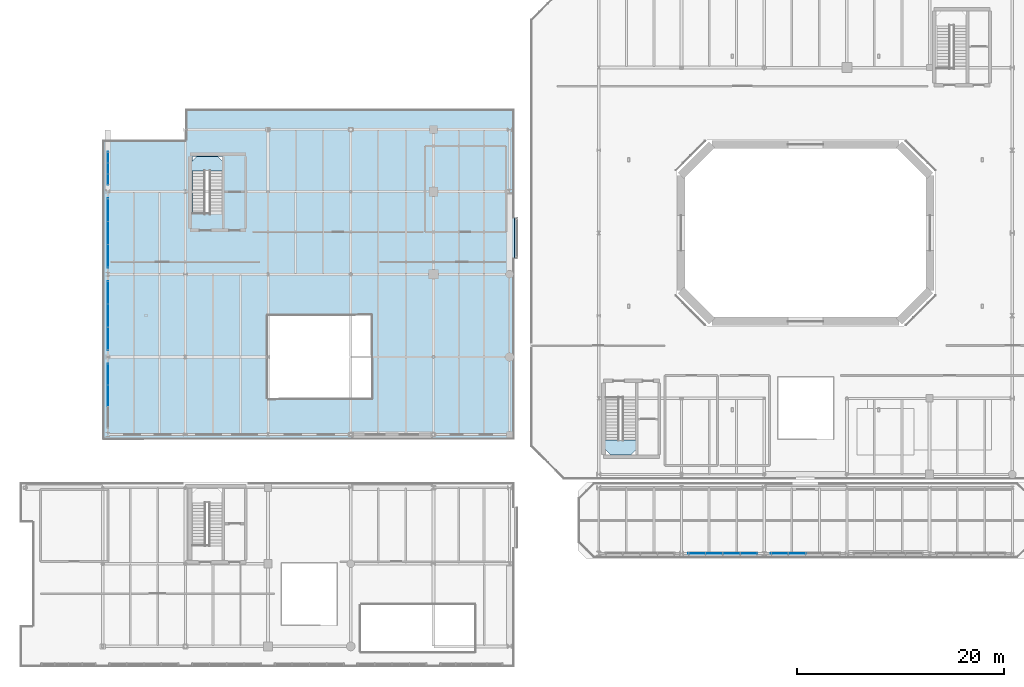
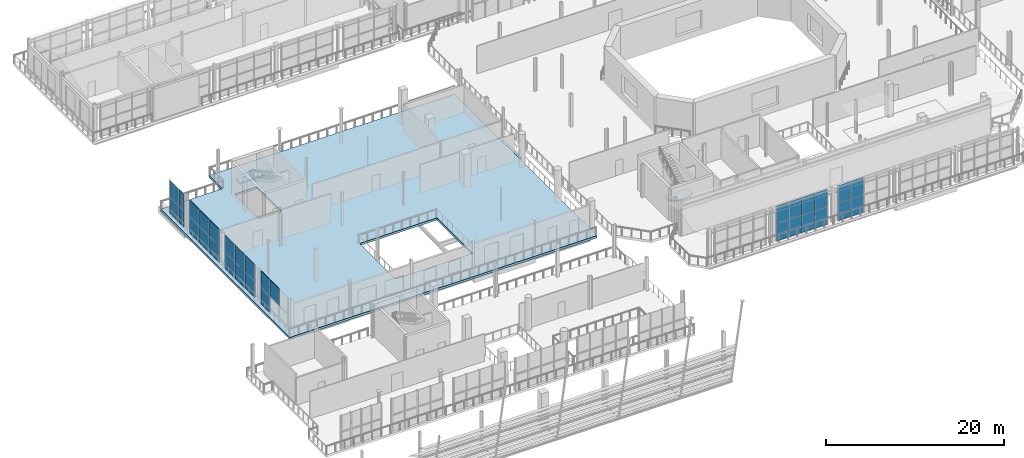
# One storey, part 61 of 93: 33 plates, 4 slabs, 8 elements without a shape of their own.
"""IFC4 building model written with IfcOpenShell, lengths in metres."""

import ifcopenshell
import ifcopenshell.guid

model = None  # the IFC model being written
_history = None  # IfcOwnerHistory: only IFC2X3 demands one
_inside = {}  # id of a spatial element -> (the spatial element, [elements in it])
_under = {}  # id of a project, library or spatial element -> (it, [spatial elements below it])
_declared = {}  # id of a project -> (the project, [libraries it declares])
_typed = {}  # id of a type object -> (the type object, [elements of that type])
_made_of = {}  # id of a material, layer set ... -> (it, [elements and type objects made of it])


def new_model(schema):
    """Start an empty IFC model of exactly this schema.

    Asked for "IFC4X3", IfcOpenShell would pick the latest addendum, in which some entities
    have other attributes; the version numbers below select the first issue.
    IFC2X3 requires an IfcOwnerHistory on every rooted entity: one is made here for all.
    """
    global model, _history
    if schema == "IFC4X3":
        model = ifcopenshell.file(schema_version=(4, 3, 0, 0))
    else:
        model = ifcopenshell.file(schema=schema)
    _inside.clear()
    _under.clear()
    _declared.clear()
    _typed.clear()
    _made_of.clear()
    _history = None
    if model.schema == "IFC2X3":
        org = make("IfcOrganization", Name="unknown")
        user = make(
            "IfcPersonAndOrganization",
            ThePerson=make("IfcPerson", FamilyName="unknown"),
            TheOrganization=org,
        )
        app = make(
            "IfcApplication",
            ApplicationDeveloper=org,
            Version="unknown",
            ApplicationFullName="unknown",
            ApplicationIdentifier="unknown",
        )
        _history = make(
            "IfcOwnerHistory",
            OwningUser=user,
            OwningApplication=app,
            ChangeAction="ADDED",
            CreationDate=0,
        )
    return model


def make(cls, **values):
    """One entity of the class cls with the attributes given. An attribute that is None is left unset."""
    return model.create_entity(
        cls, **{name: value for name, value in values.items() if value is not None}
    )


def rooted(cls, **values):
    """An entity with a GlobalId (a new one), such as an element, a storey or a relation."""
    return make(cls, GlobalId=ifcopenshell.guid.new(), OwnerHistory=_history, **values)


def si_unit(unit_type, name, prefix=None):
    """IfcSIUnit, for example si_unit("LENGTHUNIT", "METRE", prefix="MILLI")."""
    return make("IfcSIUnit", UnitType=unit_type, Prefix=prefix, Name=name)


def assignment(units):
    """IfcUnitAssignment: the units of a project."""
    return None if units is None else make("IfcUnitAssignment", Units=units)


def point(xyz):
    """IfcCartesianPoint."""
    return None if xyz is None else make("IfcCartesianPoint", Coordinates=xyz)


def direction(xyz):
    """IfcDirection."""
    return None if xyz is None else make("IfcDirection", DirectionRatios=xyz)


def frame(location, z_axis=None, x_axis=None):
    """IfcAxis2Placement3D, a coordinate frame: its origin and axes. An axis left out is left unset."""
    return make(
        "IfcAxis2Placement3D",
        Location=point(location),
        Axis=direction(z_axis),
        RefDirection=direction(x_axis),
    )


def frame_2d(location, x_axis=None):
    """IfcAxis2Placement2D, a coordinate frame in the plane: its origin and x axis."""
    return make(
        "IfcAxis2Placement2D", Location=point(location), RefDirection=direction(x_axis)
    )


def origin():
    """The frame at (0, 0, 0) with its axes left unset."""
    return frame((0.0, 0.0, 0.0))


def origin_2d():
    """The frame at (0, 0) in the plane with its x axis left unset."""
    return frame_2d((0.0, 0.0))


def place(relative_to, where):
    """IfcLocalPlacement: puts the frame where relative to a parent placement (None: the world)."""
    return make(
        "IfcLocalPlacement", PlacementRelTo=relative_to, RelativePlacement=where
    )


def context(
    kind, dimensions, precision=None, world=None, true_north=None, identifier=None
):
    """IfcGeometricRepresentationContext, for example the 3D "Model" context."""
    return make(
        "IfcGeometricRepresentationContext",
        ContextIdentifier=identifier,
        ContextType=kind,
        CoordinateSpaceDimension=dimensions,
        Precision=precision,
        WorldCoordinateSystem=world,
        TrueNorth=true_north,
    )


def subcontext(parent, identifier, kind, view, scale=None):
    """IfcGeometricRepresentationSubContext, for example "Body" below "Model"."""
    return make(
        "IfcGeometricRepresentationSubContext",
        ContextIdentifier=identifier,
        ContextType=kind,
        ParentContext=parent,
        TargetScale=scale,
        TargetView=view,
    )


def project(units=None, contexts=None):
    """IfcProject with its units and contexts."""
    return rooted(
        "IfcProject",
        Name="project",
        RepresentationContexts=contexts,
        UnitsInContext=assignment(units),
    )


def spatial(cls, under=None, at=None, **own):
    """A site, building, storey or space (cls), placed at a placement, below another one or the project."""
    s = rooted(cls, ObjectPlacement=at, **own)
    if under is not None:
        _under.setdefault(under.id(), (under, []))[1].append(s)
    return s


def polyline(points):
    """IfcPolyline through the points."""
    return make("IfcPolyline", Points=[point(p) for p in points])


def profile(cls, at=None, kind="AREA", **sizes):
    """A parametric profile (cls). Its sizes go by their IFC names, for example OverallWidth=200.0."""
    return make(cls, ProfileType=kind, Position=at, **sizes)


def rectangle(**sizes):
    """IfcRectangleProfileDef."""
    return profile("IfcRectangleProfileDef", **sizes)


def outline(outer, holes=None, kind="AREA"):
    """IfcArbitraryClosedProfileDef: a profile drawn as a closed curve; with holes, ...WithVoids."""
    if holes is None:
        return make("IfcArbitraryClosedProfileDef", ProfileType=kind, OuterCurve=outer)
    return make(
        "IfcArbitraryProfileDefWithVoids",
        ProfileType=kind,
        OuterCurve=outer,
        InnerCurves=holes,
    )


def extrude(swept, where, along, depth):
    """IfcExtrudedAreaSolid: the profile swept, set in the frame where, extruded along a direction by depth."""
    return make(
        "IfcExtrudedAreaSolid",
        SweptArea=swept,
        Position=where,
        ExtrudedDirection=direction(along),
        Depth=depth,
    )


def shape(context_of_items, identifier, shape_type, items):
    """IfcShapeRepresentation: the items that make up one representation, for example the "Body"."""
    return make(
        "IfcShapeRepresentation",
        ContextOfItems=context_of_items,
        RepresentationIdentifier=identifier,
        RepresentationType=shape_type,
        Items=items,
    )


def material(Name=None, Category=None):
    """IfcMaterial."""
    return make("IfcMaterial", Name=Name, Category=Category)


def layer(
    of_material, thickness, ventilated=None, Name=None, Category=None, Priority=None
):
    """IfcMaterialLayer: one layer of a wall or slab, of a material (None: an air gap)."""
    return make(
        "IfcMaterialLayer",
        Material=of_material,
        LayerThickness=thickness,
        IsVentilated=ventilated,
        Name=Name,
        Category=Category,
        Priority=Priority,
    )


def layer_set(layers, Name=None):
    """IfcMaterialLayerSet."""
    return make("IfcMaterialLayerSet", MaterialLayers=layers, LayerSetName=Name)


def made_of(thing, what):
    """Note that an element or type object is made of a material, layer set ...; save() writes the relation."""
    if what is not None:
        _made_of.setdefault(what.id(), (what, []))[1].append(thing)
    return thing


def type_object(cls, material=None, **own):
    """A type object (cls), such as IfcWallType, which elements share."""
    return made_of(rooted(cls, **own), material)


def element(
    cls,
    number,
    at=None,
    inside=None,
    cuts=None,
    type_object=None,
    material=None,
    context=None,
    identifier="Body",
    shape_type=None,
    held_by="IfcProductDefinitionShape",
    body=None,
    shapes=None,
    **own,
):
    """One element of the class cls, such as IfcWall. Its Tag is "e" and its number.

    at: its placement. inside: the storey or other place that contains it. cuts: it is an
    opening in that element (IfcRelVoidsElement). A single representation is given by context,
    identifier, shape_type and body (its items); several are given by shapes. held_by: the class
    of the entity that holds the representations. save() writes the other relations.
    """
    e = rooted(cls, Tag="e%d" % number, ObjectPlacement=at, **own)
    if body is not None:
        shapes = [shape(context, identifier, shape_type, body)]
    if shapes is not None:
        e.Representation = make(held_by, Representations=shapes)
    if inside is not None:
        _inside.setdefault(inside.id(), (inside, []))[1].append(e)
    if cuts is not None:
        rooted(
            "IfcRelVoidsElement", RelatingBuildingElement=cuts, RelatedOpeningElement=e
        )
    if type_object is not None:
        _typed.setdefault(type_object.id(), (type_object, []))[1].append(e)
    return made_of(e, material)


def aggregate(whole, parts):
    """IfcRelAggregates: a whole, such as a stair, and the parts it consists of."""
    return rooted("IfcRelAggregates", RelatingObject=whole, RelatedObjects=parts)


def save(model, path):
    """Write the relations noted so far, then the file.

    IfcRelAggregates (storeys below a building ...), IfcRelContainedInSpatialStructure (elements
    in a storey), IfcRelDefinesByType, IfcRelAssociatesMaterial and IfcRelDeclares: one each for
    every whole, place, type object, material and project.
    """
    for whole, parts in _under.values():
        aggregate(whole, parts)
    for where, things in _inside.values():
        rooted(
            "IfcRelContainedInSpatialStructure",
            RelatedElements=things,
            RelatingStructure=where,
        )
    for kind, things in _typed.values():
        rooted("IfcRelDefinesByType", RelatedObjects=things, RelatingType=kind)
    for what, things in _made_of.values():
        rooted("IfcRelAssociatesMaterial", RelatedObjects=things, RelatingMaterial=what)
    for by, libraries in _declared.values():
        rooted("IfcRelDeclares", RelatingContext=by, RelatedDefinitions=libraries)
    model.write(path)


model = new_model("IFC4")

# Units and contexts
model_context = context("Model", 3, precision=1e-05, world=origin(), true_north=direction((0.0, 1.0)))
body_context = subcontext(model_context, "Body", "Model", "MODEL_VIEW")
ifc_project = project(units=[si_unit("LENGTHUNIT", "METRE"), si_unit("AREAUNIT", "SQUARE_METRE"), si_unit("VOLUMEUNIT", "CUBIC_METRE"), si_unit("PLANEANGLEUNIT", "RADIAN"), si_unit("MASSUNIT", "GRAM", prefix="KILO")], contexts=[model_context])

# Site, building, storey
site_placement = place(None, origin())
site = spatial("IfcSite", under=ifc_project, at=site_placement, CompositionType="ELEMENT")
building_placement = place(site_placement, origin())
building = spatial("IfcBuilding", under=site, at=building_placement, Name="Brisemont Oceanarium", CompositionType="ELEMENT")
storey_placement = place(building_placement, frame((0.0, 0.0, 5.39990234375)))
storey = spatial("IfcBuildingStorey", under=building, at=storey_placement, Name="L01", CompositionType="ELEMENT", Elevation=5.39990234375)

# Curtain wall, plates
ifc_material_1 = material(Name="Anodized Extruded Aluminum 6063-T6", Category="aluminium")
curtain_wall_type_1 = type_object("IfcCurtainWallType", Name="CW-GAL-61X43", PredefinedType="NOTDEFINED", material=ifc_material_1)
curtain_wall_1_placement = place(storey_placement, origin())
curtain_wall_1 = element("IfcCurtainWall", 1, at=curtain_wall_1_placement, inside=storey, type_object=curtain_wall_type_1, Name="CW-13 curtain wall CW-V5W-W-L01-01", PredefinedType="NOTDEFINED")
ifc_material_2 = material(Name="Ceramic-Fritted Spandrel Glass", Category="glass")
ifc_layer_1 = layer(ifc_material_2, 0.030029296875)
ifc_layer_set_1 = layer_set([ifc_layer_1], Name="Ceramic-Fritted Spandrel Glass")
plate_type_1 = type_object("IfcPlateType", Name="PLT-CWP-S3", PredefinedType="CURTAIN_PANEL", material=ifc_layer_set_1)
plate_1_placement = place(storey_placement, frame((16.5, 40.25, 2.271484375), z_axis=(0.0, 0.0, 1.0), x_axis=(0.0, 1.0, 0.0)))
plate_1 = element("IfcPlate", 2, at=plate_1_placement, type_object=plate_type_1, Name="CW-V5W-W-L01-01 panel 2.2", PredefinedType="CURTAIN_PANEL", context=body_context, shape_type="SweptSolid", body=[
    extrude(rectangle(XDim=2.063720703125, YDim=0.030029296875, at=origin_2d()), origin(), (0.0, 0.0, 1.0), 2.26708984375),
])
plate_2_placement = place(storey_placement, frame((16.5, 42.316650390625, 0.00146484375), z_axis=(0.0, 0.0, 1.0), x_axis=(0.0, 1.0, 0.0)))
plate_2 = element("IfcPlate", 3, at=plate_2_placement, type_object=plate_type_1, Name="CW-V5W-W-L01-01 panel 3.1", PredefinedType="CURTAIN_PANEL", context=body_context, shape_type="SweptSolid", body=[
    extrude(rectangle(XDim=2.063720703125, YDim=0.030029296875, at=origin_2d()), origin(), (0.0, 0.0, 1.0), 2.26708984375),
])
plate_3_placement = place(storey_placement, frame((16.5, 42.316650390625, 2.271484375), z_axis=(0.0, 0.0, 1.0), x_axis=(0.0, 1.0, 0.0)))
plate_3 = element("IfcPlate", 4, at=plate_3_placement, type_object=plate_type_1, Name="CW-V5W-W-L01-01 panel 3.2", PredefinedType="CURTAIN_PANEL", context=body_context, shape_type="SweptSolid", body=[
    extrude(rectangle(XDim=2.063720703125, YDim=0.030029296875, at=origin_2d()), origin(), (0.0, 0.0, 1.0), 2.26708984375),
])
aggregate(curtain_wall_1, [plate_1, plate_2, plate_3])

curtain_wall_2_placement = place(storey_placement, origin())
curtain_wall_2 = element("IfcCurtainWall", 5, at=curtain_wall_2_placement, inside=storey, type_object=curtain_wall_type_1, Name="CW-13 curtain wall CW-V5W-W-L01-02", PredefinedType="NOTDEFINED")
plate_4_placement = place(storey_placement, frame((16.5, 45.7666015625, 0.00146484375), z_axis=(0.0, 0.0, 1.0), x_axis=(0.0, 1.0, 0.0)))
plate_4 = element("IfcPlate", 6, at=plate_4_placement, type_object=plate_type_1, Name="CW-V5W-W-L01-02 panel 1.1", PredefinedType="CURTAIN_PANEL", context=body_context, shape_type="SweptSolid", body=[
    extrude(rectangle(XDim=2.230224609375, YDim=0.030029296875, at=origin_2d()), origin(), (0.0, 0.0, 1.0), 2.26708984375),
])
plate_5_placement = place(storey_placement, frame((16.5, 45.7666015625, 2.271484375), z_axis=(0.0, 0.0, 1.0), x_axis=(0.0, 1.0, 0.0)))
plate_5 = element("IfcPlate", 7, at=plate_5_placement, type_object=plate_type_1, Name="CW-V5W-W-L01-02 panel 1.2", PredefinedType="CURTAIN_PANEL", context=body_context, shape_type="SweptSolid", body=[
    extrude(rectangle(XDim=2.230224609375, YDim=0.030029296875, at=origin_2d()), origin(), (0.0, 0.0, 1.0), 2.26708984375),
])
plate_6_placement = place(storey_placement, frame((16.5, 48.0, 0.00146484375), z_axis=(0.0, 0.0, 1.0), x_axis=(0.0, 1.0, 0.0)))
plate_6 = element("IfcPlate", 8, at=plate_6_placement, type_object=plate_type_1, Name="CW-V5W-W-L01-02 panel 2.1", PredefinedType="CURTAIN_PANEL", context=body_context, shape_type="SweptSolid", body=[
    extrude(rectangle(XDim=2.230224609375, YDim=0.030029296875, at=origin_2d()), origin(), (0.0, 0.0, 1.0), 2.26708984375),
])
plate_7_placement = place(storey_placement, frame((16.5, 48.0, 2.271484375), z_axis=(0.0, 0.0, 1.0), x_axis=(0.0, 1.0, 0.0)))
plate_7 = element("IfcPlate", 9, at=plate_7_placement, type_object=plate_type_1, Name="CW-V5W-W-L01-02 panel 2.2", PredefinedType="CURTAIN_PANEL", context=body_context, shape_type="SweptSolid", body=[
    extrude(rectangle(XDim=2.230224609375, YDim=0.030029296875, at=origin_2d()), origin(), (0.0, 0.0, 1.0), 2.26708984375),
])
plate_8_placement = place(storey_placement, frame((16.5, 50.2333984375, 0.00146484375), z_axis=(0.0, 0.0, 1.0), x_axis=(0.0, 1.0, 0.0)))
plate_8 = element("IfcPlate", 10, at=plate_8_placement, type_object=plate_type_1, Name="CW-V5W-W-L01-02 panel 3.1", PredefinedType="CURTAIN_PANEL", context=body_context, shape_type="SweptSolid", body=[
    extrude(rectangle(XDim=2.230224609375, YDim=0.030029296875, at=origin_2d()), origin(), (0.0, 0.0, 1.0), 2.26708984375),
])
plate_9_placement = place(storey_placement, frame((16.5, 50.2333984375, 2.271484375), z_axis=(0.0, 0.0, 1.0), x_axis=(0.0, 1.0, 0.0)))
plate_9 = element("IfcPlate", 11, at=plate_9_placement, type_object=plate_type_1, Name="CW-V5W-W-L01-02 panel 3.2", PredefinedType="CURTAIN_PANEL", context=body_context, shape_type="SweptSolid", body=[
    extrude(rectangle(XDim=2.230224609375, YDim=0.030029296875, at=origin_2d()), origin(), (0.0, 0.0, 1.0), 2.26708984375),
])
aggregate(curtain_wall_2, [plate_4, plate_5, plate_6, plate_7, plate_8, plate_9])

curtain_wall_3_placement = place(storey_placement, origin())
curtain_wall_3 = element("IfcCurtainWall", 12, at=curtain_wall_3_placement, inside=storey, type_object=curtain_wall_type_1, Name="CW-13 curtain wall CW-V5W-W-L01-03", PredefinedType="NOTDEFINED")
plate_10_placement = place(storey_placement, frame((16.5, 53.7666015625, 0.00146484375), z_axis=(0.0, 0.0, 1.0), x_axis=(0.0, 1.0, 0.0)))
plate_10 = element("IfcPlate", 13, at=plate_10_placement, type_object=plate_type_1, Name="CW-V5W-W-L01-03 panel 1.1", PredefinedType="CURTAIN_PANEL", context=body_context, shape_type="SweptSolid", body=[
    extrude(rectangle(XDim=2.230224609375, YDim=0.030029296875, at=origin_2d()), origin(), (0.0, 0.0, 1.0), 2.26708984375),
])
plate_11_placement = place(storey_placement, frame((16.5, 53.7666015625, 2.271484375), z_axis=(0.0, 0.0, 1.0), x_axis=(0.0, 1.0, 0.0)))
plate_11 = element("IfcPlate", 14, at=plate_11_placement, type_object=plate_type_1, Name="CW-V5W-W-L01-03 panel 1.2", PredefinedType="CURTAIN_PANEL", context=body_context, shape_type="SweptSolid", body=[
    extrude(rectangle(XDim=2.230224609375, YDim=0.030029296875, at=origin_2d()), origin(), (0.0, 0.0, 1.0), 2.26708984375),
])
plate_12_placement = place(storey_placement, frame((16.5, 56.0, 0.00146484375), z_axis=(0.0, 0.0, 1.0), x_axis=(0.0, 1.0, 0.0)))
plate_12 = element("IfcPlate", 15, at=plate_12_placement, type_object=plate_type_1, Name="CW-V5W-W-L01-03 panel 2.1", PredefinedType="CURTAIN_PANEL", context=body_context, shape_type="SweptSolid", body=[
    extrude(rectangle(XDim=2.230224609375, YDim=0.030029296875, at=origin_2d()), origin(), (0.0, 0.0, 1.0), 2.26708984375),
])
plate_13_placement = place(storey_placement, frame((16.5, 56.0, 2.271484375), z_axis=(0.0, 0.0, 1.0), x_axis=(0.0, 1.0, 0.0)))
plate_13 = element("IfcPlate", 16, at=plate_13_placement, type_object=plate_type_1, Name="CW-V5W-W-L01-03 panel 2.2", PredefinedType="CURTAIN_PANEL", context=body_context, shape_type="SweptSolid", body=[
    extrude(rectangle(XDim=2.230224609375, YDim=0.030029296875, at=origin_2d()), origin(), (0.0, 0.0, 1.0), 2.26708984375),
])
plate_14_placement = place(storey_placement, frame((16.5, 58.2333984375, 0.00146484375), z_axis=(0.0, 0.0, 1.0), x_axis=(0.0, 1.0, 0.0)))
plate_14 = element("IfcPlate", 17, at=plate_14_placement, type_object=plate_type_1, Name="CW-V5W-W-L01-03 panel 3.1", PredefinedType="CURTAIN_PANEL", context=body_context, shape_type="SweptSolid", body=[
    extrude(rectangle(XDim=2.230224609375, YDim=0.030029296875, at=origin_2d()), origin(), (0.0, 0.0, 1.0), 2.26708984375),
])
plate_15_placement = place(storey_placement, frame((16.5, 58.2333984375, 2.271484375), z_axis=(0.0, 0.0, 1.0), x_axis=(0.0, 1.0, 0.0)))
plate_15 = element("IfcPlate", 18, at=plate_15_placement, type_object=plate_type_1, Name="CW-V5W-W-L01-03 panel 3.2", PredefinedType="CURTAIN_PANEL", context=body_context, shape_type="SweptSolid", body=[
    extrude(rectangle(XDim=2.230224609375, YDim=0.030029296875, at=origin_2d()), origin(), (0.0, 0.0, 1.0), 2.26708984375),
])
aggregate(curtain_wall_3, [plate_10, plate_11, plate_12, plate_13, plate_14, plate_15])

curtain_wall_4_placement = place(storey_placement, origin())
curtain_wall_4 = element("IfcCurtainWall", 19, at=curtain_wall_4_placement, inside=storey, type_object=curtain_wall_type_1, Name="CW-13 curtain wall CW-V5W-W-L01-04", PredefinedType="NOTDEFINED")
plate_16_placement = place(storey_placement, frame((16.5, 61.183349609375, 0.00146484375), z_axis=(0.0, 0.0, 1.0), x_axis=(0.0, 1.0, 0.0)))
plate_16 = element("IfcPlate", 20, at=plate_16_placement, type_object=plate_type_1, Name="CW-V5W-W-L01-04 panel 1.1", PredefinedType="CURTAIN_PANEL", context=body_context, shape_type="SweptSolid", body=[
    extrude(rectangle(XDim=1.063720703125, YDim=0.030029296875, at=origin_2d()), origin(), (0.0, 0.0, 1.0), 2.26708984375),
])
plate_17_placement = place(storey_placement, frame((16.5, 61.183349609375, 2.271484375), z_axis=(0.0, 0.0, 1.0), x_axis=(0.0, 1.0, 0.0)))
plate_17 = element("IfcPlate", 21, at=plate_17_placement, type_object=plate_type_1, Name="CW-V5W-W-L01-04 panel 1.2", PredefinedType="CURTAIN_PANEL", context=body_context, shape_type="SweptSolid", body=[
    extrude(rectangle(XDim=1.063720703125, YDim=0.030029296875, at=origin_2d()), origin(), (0.0, 0.0, 1.0), 2.26708984375),
])
plate_18_placement = place(storey_placement, frame((16.5, 62.25, 0.00146484375), z_axis=(0.0, 0.0, 1.0), x_axis=(0.0, 1.0, 0.0)))
plate_18 = element("IfcPlate", 22, at=plate_18_placement, type_object=plate_type_1, Name="CW-V5W-W-L01-04 panel 2.1", PredefinedType="CURTAIN_PANEL", context=body_context, shape_type="SweptSolid", body=[
    extrude(rectangle(XDim=1.063720703125, YDim=0.030029296875, at=origin_2d()), origin(), (0.0, 0.0, 1.0), 2.26708984375),
])
plate_19_placement = place(storey_placement, frame((16.5, 62.25, 2.271484375), z_axis=(0.0, 0.0, 1.0), x_axis=(0.0, 1.0, 0.0)))
plate_19 = element("IfcPlate", 23, at=plate_19_placement, type_object=plate_type_1, Name="CW-V5W-W-L01-04 panel 2.2", PredefinedType="CURTAIN_PANEL", context=body_context, shape_type="SweptSolid", body=[
    extrude(rectangle(XDim=1.063720703125, YDim=0.030029296875, at=origin_2d()), origin(), (0.0, 0.0, 1.0), 2.26708984375),
])
plate_20_placement = place(storey_placement, frame((16.5, 63.316650390625, 0.00146484375), z_axis=(0.0, 0.0, 1.0), x_axis=(0.0, 1.0, 0.0)))
plate_20 = element("IfcPlate", 24, at=plate_20_placement, type_object=plate_type_1, Name="CW-V5W-W-L01-04 panel 3.1", PredefinedType="CURTAIN_PANEL", context=body_context, shape_type="SweptSolid", body=[
    extrude(rectangle(XDim=1.063720703125, YDim=0.030029296875, at=origin_2d()), origin(), (0.0, 0.0, 1.0), 2.26708984375),
])
plate_21_placement = place(storey_placement, frame((16.5, 63.316650390625, 2.271484375), z_axis=(0.0, 0.0, 1.0), x_axis=(0.0, 1.0, 0.0)))
plate_21 = element("IfcPlate", 25, at=plate_21_placement, type_object=plate_type_1, Name="CW-V5W-W-L01-04 panel 3.2", PredefinedType="CURTAIN_PANEL", context=body_context, shape_type="SweptSolid", body=[
    extrude(rectangle(XDim=1.063720703125, YDim=0.030029296875, at=origin_2d()), origin(), (0.0, 0.0, 1.0), 2.26708984375),
])
aggregate(curtain_wall_4, [plate_16, plate_17, plate_18, plate_19, plate_20, plate_21])

ifc_material_3 = material(Name="Anodized Extruded Aluminum 6063-T6", Category="aluminium")
curtain_wall_type_2 = type_object("IfcCurtainWallType", Name="CW-ROT-69X44", PredefinedType="NOTDEFINED", material=ifc_material_3)
curtain_wall_5_placement = place(storey_placement, origin())
curtain_wall_5 = element("IfcCurtainWall", 26, at=curtain_wall_5_placement, inside=storey, type_object=curtain_wall_type_2, Name="CW-03 curtain wall CW-V1P-S-L01-02", PredefinedType="NOTDEFINED")
ifc_material_4 = material(Name="Insulated Low-E Laminated Glass", Category="glass")
ifc_layer_2 = layer(ifc_material_4, 0.028076171875)
ifc_layer_set_2 = layer_set([ifc_layer_2], Name="Insulated Low-E Laminated Glass")
plate_type_2 = type_object("IfcPlateType", Name="PLT-CWP-V3", PredefinedType="CURTAIN_PANEL", material=ifc_layer_set_2)
plate_22_placement = place(storey_placement, frame((73.487548828125, 25.0, 0.001708984375), z_axis=(0.0, 0.0, 1.0), x_axis=(1.0, 0.0, 0.0)))
plate_22 = element("IfcPlate", 27, at=plate_22_placement, type_object=plate_type_2, Name="CW-V1P-S-L01-02 panel 1.1", PredefinedType="CURTAIN_PANEL", context=body_context, shape_type="SweptSolid", body=[
    extrude(rectangle(XDim=1.672119140625, YDim=0.028076171875, at=origin_2d()), origin(), (0.0, 0.0, 1.0), 2.39697265625),
])
plate_23_placement = place(storey_placement, frame((73.487548828125, 25.0, 2.401611328125), z_axis=(0.0, 0.0, 1.0), x_axis=(1.0, 0.0, 0.0)))
plate_23 = element("IfcPlate", 28, at=plate_23_placement, type_object=plate_type_2, Name="CW-V1P-S-L01-02 panel 1.2", PredefinedType="CURTAIN_PANEL", context=body_context, shape_type="SweptSolid", body=[
    extrude(rectangle(XDim=1.672119140625, YDim=0.028076171875, at=origin_2d()), origin(), (0.0, 0.0, 1.0), 2.39697265625),
])
plate_24_placement = place(storey_placement, frame((75.16259765625, 25.0, 0.001708984375), z_axis=(0.0, 0.0, 1.0), x_axis=(1.0, 0.0, 0.0)))
plate_24 = element("IfcPlate", 29, at=plate_24_placement, type_object=plate_type_2, Name="CW-V1P-S-L01-02 panel 2.1", PredefinedType="CURTAIN_PANEL", context=body_context, shape_type="SweptSolid", body=[
    extrude(rectangle(XDim=1.672119140625, YDim=0.028076171875, at=origin_2d()), origin(), (0.0, 0.0, 1.0), 2.39697265625),
])
plate_25_placement = place(storey_placement, frame((75.16259765625, 25.0, 2.401611328125), z_axis=(0.0, 0.0, 1.0), x_axis=(1.0, 0.0, 0.0)))
plate_25 = element("IfcPlate", 30, at=plate_25_placement, type_object=plate_type_2, Name="CW-V1P-S-L01-02 panel 2.2", PredefinedType="CURTAIN_PANEL", context=body_context, shape_type="SweptSolid", body=[
    extrude(rectangle(XDim=1.672119140625, YDim=0.028076171875, at=origin_2d()), origin(), (0.0, 0.0, 1.0), 2.39697265625),
])
plate_26_placement = place(storey_placement, frame((76.83740234375, 25.0, 0.001708984375), z_axis=(0.0, 0.0, 1.0), x_axis=(1.0, 0.0, 0.0)))
plate_26 = element("IfcPlate", 31, at=plate_26_placement, type_object=plate_type_2, Name="CW-V1P-S-L01-02 panel 3.1", PredefinedType="CURTAIN_PANEL", context=body_context, shape_type="SweptSolid", body=[
    extrude(rectangle(XDim=1.672119140625, YDim=0.028076171875, at=origin_2d()), origin(), (0.0, 0.0, 1.0), 2.39697265625),
])
plate_27_placement = place(storey_placement, frame((76.83740234375, 25.0, 2.401611328125), z_axis=(0.0, 0.0, 1.0), x_axis=(1.0, 0.0, 0.0)))
plate_27 = element("IfcPlate", 32, at=plate_27_placement, type_object=plate_type_2, Name="CW-V1P-S-L01-02 panel 3.2", PredefinedType="CURTAIN_PANEL", context=body_context, shape_type="SweptSolid", body=[
    extrude(rectangle(XDim=1.672119140625, YDim=0.028076171875, at=origin_2d()), origin(), (0.0, 0.0, 1.0), 2.39697265625),
])
plate_28_placement = place(storey_placement, frame((78.512451171875, 25.0, 0.001708984375), z_axis=(0.0, 0.0, 1.0), x_axis=(1.0, 0.0, 0.0)))
plate_28 = element("IfcPlate", 33, at=plate_28_placement, type_object=plate_type_2, Name="CW-V1P-S-L01-02 panel 4.1", PredefinedType="CURTAIN_PANEL", context=body_context, shape_type="SweptSolid", body=[
    extrude(rectangle(XDim=1.672119140625, YDim=0.028076171875, at=origin_2d()), origin(), (0.0, 0.0, 1.0), 2.39697265625),
])
plate_29_placement = place(storey_placement, frame((78.512451171875, 25.0, 2.401611328125), z_axis=(0.0, 0.0, 1.0), x_axis=(1.0, 0.0, 0.0)))
plate_29 = element("IfcPlate", 34, at=plate_29_placement, type_object=plate_type_2, Name="CW-V1P-S-L01-02 panel 4.2", PredefinedType="CURTAIN_PANEL", context=body_context, shape_type="SweptSolid", body=[
    extrude(rectangle(XDim=1.672119140625, YDim=0.028076171875, at=origin_2d()), origin(), (0.0, 0.0, 1.0), 2.39697265625),
])
aggregate(curtain_wall_5, [plate_22, plate_23, plate_24, plate_25, plate_26, plate_27, plate_28, plate_29])

curtain_wall_6_placement = place(storey_placement, origin())
curtain_wall_6 = element("IfcCurtainWall", 35, at=curtain_wall_6_placement, inside=storey, type_object=curtain_wall_type_2, Name="CW-03 curtain wall CW-V1P-S-L01-03", PredefinedType="NOTDEFINED")
plate_30_placement = place(storey_placement, frame((81.487548828125, 25.0, 0.001708984375), z_axis=(0.0, 0.0, 1.0), x_axis=(1.0, 0.0, 0.0)))
plate_30 = element("IfcPlate", 36, at=plate_30_placement, type_object=plate_type_2, Name="CW-V1P-S-L01-03 panel 1.1", PredefinedType="CURTAIN_PANEL", context=body_context, shape_type="SweptSolid", body=[
    extrude(rectangle(XDim=1.672119140625, YDim=0.028076171875, at=origin_2d()), origin(), (0.0, 0.0, 1.0), 2.39697265625),
])
plate_31_placement = place(storey_placement, frame((81.487548828125, 25.0, 2.401611328125), z_axis=(0.0, 0.0, 1.0), x_axis=(1.0, 0.0, 0.0)))
plate_31 = element("IfcPlate", 37, at=plate_31_placement, type_object=plate_type_2, Name="CW-V1P-S-L01-03 panel 1.2", PredefinedType="CURTAIN_PANEL", context=body_context, shape_type="SweptSolid", body=[
    extrude(rectangle(XDim=1.672119140625, YDim=0.028076171875, at=origin_2d()), origin(), (0.0, 0.0, 1.0), 2.39697265625),
])
plate_32_placement = place(storey_placement, frame((83.16259765625, 25.0, 0.001708984375), z_axis=(0.0, 0.0, 1.0), x_axis=(1.0, 0.0, 0.0)))
plate_32 = element("IfcPlate", 38, at=plate_32_placement, type_object=plate_type_2, Name="CW-V1P-S-L01-03 panel 2.1", PredefinedType="CURTAIN_PANEL", context=body_context, shape_type="SweptSolid", body=[
    extrude(rectangle(XDim=1.672119140625, YDim=0.028076171875, at=origin_2d()), origin(), (0.0, 0.0, 1.0), 2.39697265625),
])
plate_33_placement = place(storey_placement, frame((83.16259765625, 25.0, 2.401611328125), z_axis=(0.0, 0.0, 1.0), x_axis=(1.0, 0.0, 0.0)))
plate_33 = element("IfcPlate", 39, at=plate_33_placement, type_object=plate_type_2, Name="CW-V1P-S-L01-03 panel 2.2", PredefinedType="CURTAIN_PANEL", context=body_context, shape_type="SweptSolid", body=[
    extrude(rectangle(XDim=1.672119140625, YDim=0.028076171875, at=origin_2d()), origin(), (0.0, 0.0, 1.0), 2.39697265625),
])
aggregate(curtain_wall_6, [plate_30, plate_31, plate_32, plate_33])

# Slabs
ifc_material_5 = material(Name="Concrete C35/45", Category="concrete")
ifc_layer_3 = layer(ifc_material_5, 0.239990234375)
ifc_layer_set_3 = layer_set([ifc_layer_3], Name="Concrete C35/45")
slab_type_1 = type_object("IfcSlabType", Name="SLB-FLR-240", PredefinedType="FLOOR", material=ifc_layer_set_3)
slab_1_placement = place(storey_placement, frame((0.0, 0.0, -0.239990234375)))
element("IfcSlab", 40, at=slab_1_placement, inside=storey, type_object=slab_type_1, Name="SB_SB-02 L01 floor slab", PredefinedType="FLOOR", context=body_context, shape_type="SweptSolid", body=[
    extrude(outline(polyline([(55.889892578125, 53.5), (56.110107421875, 53.5), (56.14990234375, 53.5400390625), (56.14990234375, 57.4599609375), (56.110107421875, 57.5), (55.889892578125, 57.5), (55.85009765625, 57.4599609375), (55.85009765625, 53.5400390625), (55.889892578125, 53.5)])), origin(), (0.0, 0.0, 1.0), 0.239990234375),
])
ifc_material_6 = material(Name="Concrete C35/45", Category="concrete")
ifc_layer_4 = layer(ifc_material_6, 0.300048828125)
ifc_layer_set_4 = layer_set([ifc_layer_4], Name="Concrete C35/45")
slab_type_2 = type_object("IfcSlabType", Name="SLB-FLR-300", PredefinedType="FLOOR", material=ifc_layer_set_4)
slab_2_placement = place(storey_placement, frame((0.0, 0.0, -0.2998046875)))
element("IfcSlab", 41, at=slab_2_placement, inside=storey, type_object=slab_type_2, Name="V5W L01 floor slab", PredefinedType="FLOOR", context=body_context, shape_type="SweptSolid", body=[
    extrude(outline(polyline([(16.0, 36.0), (55.85009765625, 36.0), (55.85009765625, 68.0), (24.0, 68.0), (24.0, 65.0), (16.0, 65.0), (16.0, 36.0)]), holes=[polyline([(32.0, 40.0), (42.0, 40.0), (42.0, 48.0), (32.0, 48.0), (32.0, 40.0)]), polyline([(24.669921875, 57.840087890625), (27.570068359375, 57.840087890625), (27.570068359375, 63.3798828125), (24.669921875, 63.3798828125), (24.669921875, 57.840087890625)])]), origin(), (0.0, 0.0, 1.0), 0.2998046875),
])

# Stair, slab
ifc_material_7 = material(Name="Concrete C40/50", Category="concrete")
stair_type_1 = type_object("IfcStairType", Name="STR-CORE-124-48", PredefinedType="HALF_TURN_STAIR", material=ifc_material_7)
stair_1_placement = place(storey_placement, origin())
stair_1 = element("IfcStair", 42, at=stair_1_placement, inside=storey, type_object=stair_type_1, Name="Exit stair ST-01 L01 to L02", PredefinedType="HALF_TURN_STAIR")
ifc_material_8 = material(Name="Concrete C40/50", Category="concrete")
ifc_layer_5 = layer(ifc_material_8, 0.219970703125)
ifc_layer_set_5 = layer_set([ifc_layer_5], Name="Concrete C40/50")
slab_type_3 = type_object("IfcSlabType", Name="SLB-LANDING-220", PredefinedType="LANDING", material=ifc_layer_set_5)
slab_3_placement = place(storey_placement, frame((0.0, 0.0, 2.18017578125)))
slab_3 = element("IfcSlab", 43, at=slab_3_placement, type_object=slab_type_3, Name="ST-01 L01 half-landing", PredefinedType="LANDING", context=body_context, shape_type="SweptSolid", body=[
    extrude(outline(polyline([(65.1201171875, 34.530029296875), (67.10009765625, 34.530029296875), (67.64990234375, 35.080078125), (67.64990234375, 35.9599609375), (64.570068359375, 35.9599609375), (64.570068359375, 35.080078125), (65.1201171875, 34.530029296875)])), origin(), (0.0, 0.0, 1.0), 0.219970703125),
])
aggregate(stair_1, [slab_3])

ifc_material_9 = material(Name="Concrete C40/50", Category="concrete")
stair_type_2 = type_object("IfcStairType", Name="STR-CORE-120-48", PredefinedType="HALF_TURN_STAIR", material=ifc_material_9)
stair_2_placement = place(storey_placement, origin())
stair_2 = element("IfcStair", 44, at=stair_2_placement, inside=storey, type_object=stair_type_2, Name="Exit stair ST-05 L01 to L02", PredefinedType="HALF_TURN_STAIR")
slab_4_placement = place(storey_placement, frame((0.0, 0.0, 2.18017578125)))
slab_4 = element("IfcSlab", 45, at=slab_4_placement, type_object=slab_type_3, Name="ST-05 L01 half-landing", PredefinedType="LANDING", context=body_context, shape_type="SweptSolid", body=[
    extrude(outline(polyline([(24.570068359375, 61.989990234375), (27.64990234375, 61.989990234375), (27.64990234375, 62.8701171875), (27.10009765625, 63.419921875), (25.1201171875, 63.419921875), (24.570068359375, 62.8701171875), (24.570068359375, 61.989990234375)])), origin(), (0.0, 0.0, 1.0), 0.219970703125),
])
aggregate(stair_2, [slab_4])

save(model, "model.ifc")
